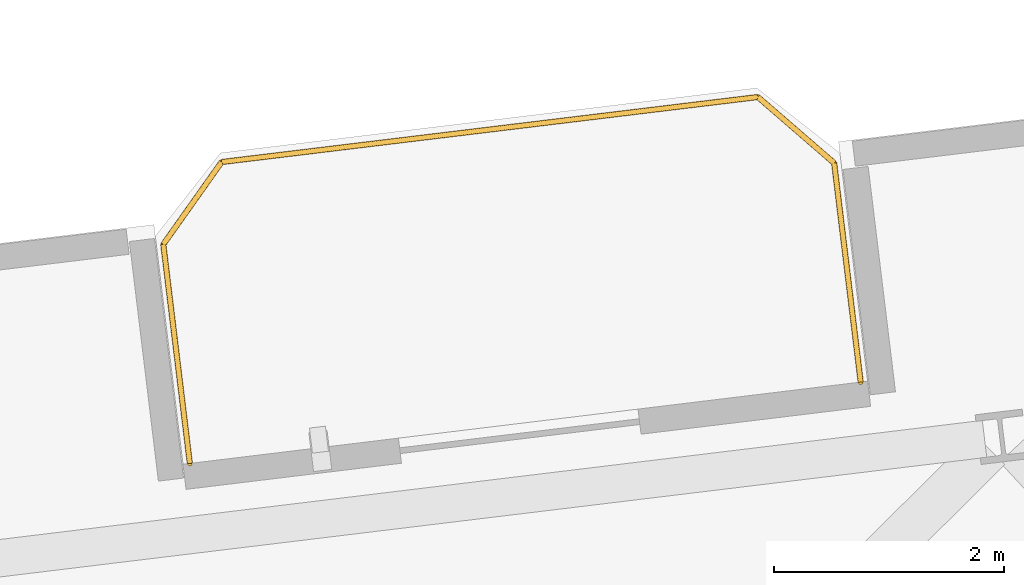
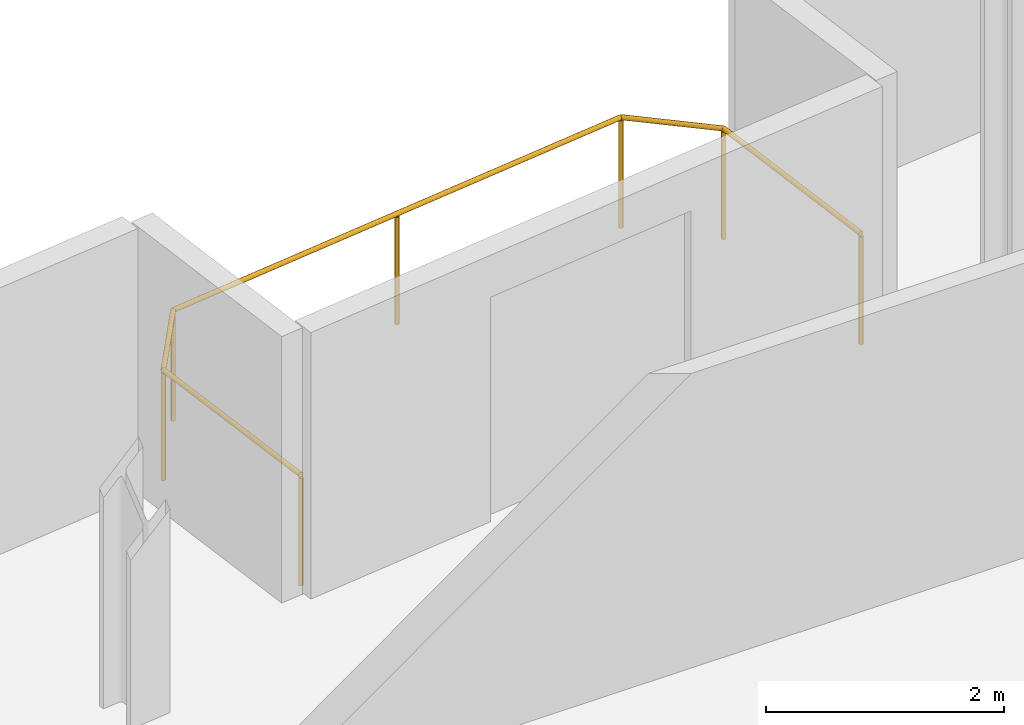
# One storey, part 23 of 23: 1 railing.
"""IFC4 building model written with IfcOpenShell, lengths in metres."""

from ifc_helpers import new_model, si_unit, direction, frame, origin, origin_2d, place, context, subcontext, project, spatial, circle, extrude, material, type_object, element, save


model = new_model("IFC4")

# Units and contexts
model_context = context("Model", 3, precision=1e-05, world=origin(), true_north=direction((0.0, 1.0)))
body_context = subcontext(model_context, "Body", "Model", "MODEL_VIEW")
ifc_project = project(units=[si_unit("LENGTHUNIT", "METRE"), si_unit("AREAUNIT", "SQUARE_METRE"), si_unit("VOLUMEUNIT", "CUBIC_METRE"), si_unit("PLANEANGLEUNIT", "RADIAN"), si_unit("MASSUNIT", "GRAM", prefix="KILO")], contexts=[model_context])

# Site, building, storey
site_placement = place(None, origin())
site = spatial("IfcSite", under=ifc_project, at=site_placement, CompositionType="ELEMENT")
building_placement = place(site_placement, origin())
building = spatial("IfcBuilding", under=site, at=building_placement, Name="Varnelok Gate Tower", CompositionType="ELEMENT")
storey_placement = place(building_placement, frame((0.0, 0.0, 193.10009765625)))
storey = spatial("IfcBuildingStorey", under=building, at=storey_placement, Name="L49", CompositionType="ELEMENT", Elevation=193.10009765625)

# Railing
ifc_material = material(Name="Low-E Laminated Double Glazing IGU", Category="glass")
railing_type = type_object("IfcRailingType", Name="RL-BALC-1150", PredefinedType="BALUSTRADE", material=ifc_material)
railing_placement = place(storey_placement, frame((48.19384765625, 46.335205078125, 0.0)))
element("IfcRailing", 1, at=railing_placement, inside=storey, type_object=railing_type, Name="L49 North Terrace Balustrade 6", PredefinedType="BALUSTRADE", context=body_context, shape_type="SweptSolid", body=[
    extrude(circle(Radius=0.02392578125, at=origin_2d()), frame((0.0, 0.0, 1.1259765625), z_axis=(-0.120293392036, 0.992738384386, 0.0), x_axis=(-0.992738384386, -0.120293392036, 0.0)), (0.0, 0.0, 1.0), 1.919921875),
    extrude(circle(Radius=0.02392578125, at=origin_2d()), frame((-0.23095703125, 1.906005859375, 1.1259765625), z_axis=(0.577971037086, 0.816057277579, 0.0), x_axis=(-0.816057277579, 0.577971037086, 0.0)), (0.0, 0.0, 1.0), 0.877685546875),
    extrude(circle(Radius=0.02392578125, at=origin_2d()), frame((0.2763671875, 2.622314453125, 1.1259765625), z_axis=(0.99273133746, 0.120351533534, 0.0), x_axis=(-0.120351533534, 0.99273133746, 0.0)), (0.0, 0.0, 1.0), 4.7001953125),
    extrude(circle(Radius=0.02392578125, at=origin_2d()), frame((4.9423828125, 3.18798828125, 1.1259765625), z_axis=(0.756303655992, -0.654220742513, 0.0), x_axis=(0.654220742513, 0.756303655992, 0.0)), (0.0, 0.0, 1.0), 0.877685546875),
    extrude(circle(Radius=0.02392578125, at=origin_2d()), frame((5.606201171875, 2.61376953125, 1.1259765625), z_axis=(0.120293392036, -0.992738384386, 0.0), x_axis=(0.992738384386, 0.120293392036, 0.0)), (0.0, 0.0, 1.0), 1.919921875),
    extrude(circle(Radius=0.02099609375, at=origin_2d()), origin(), (0.0, 0.0, 1.0), 1.101806640625),
    extrude(circle(Radius=0.02099609375, at=origin_2d()), frame((-0.23095703125, 1.906005859375, 0.0)), (0.0, 0.0, 1.0), 1.101806640625),
    extrude(circle(Radius=0.02099609375, at=origin_2d()), frame((0.2763671875, 2.622314453125, 0.0)), (0.0, 0.0, 1.0), 1.101806640625),
    extrude(circle(Radius=0.02099609375, at=origin_2d()), frame((2.609375, 2.9052734375, 0.0)), (0.0, 0.0, 1.0), 1.101806640625),
    extrude(circle(Radius=0.02099609375, at=origin_2d()), frame((4.9423828125, 3.18798828125, 0.0)), (0.0, 0.0, 1.0), 1.101806640625),
    extrude(circle(Radius=0.02099609375, at=origin_2d()), frame((5.606201171875, 2.61376953125, 0.0)), (0.0, 0.0, 1.0), 1.101806640625),
    extrude(circle(Radius=0.02099609375, at=origin_2d()), frame((5.837158203125, 0.707763671875, 0.0)), (0.0, 0.0, 1.0), 1.101806640625),
])

save(model, "model.ifc")
